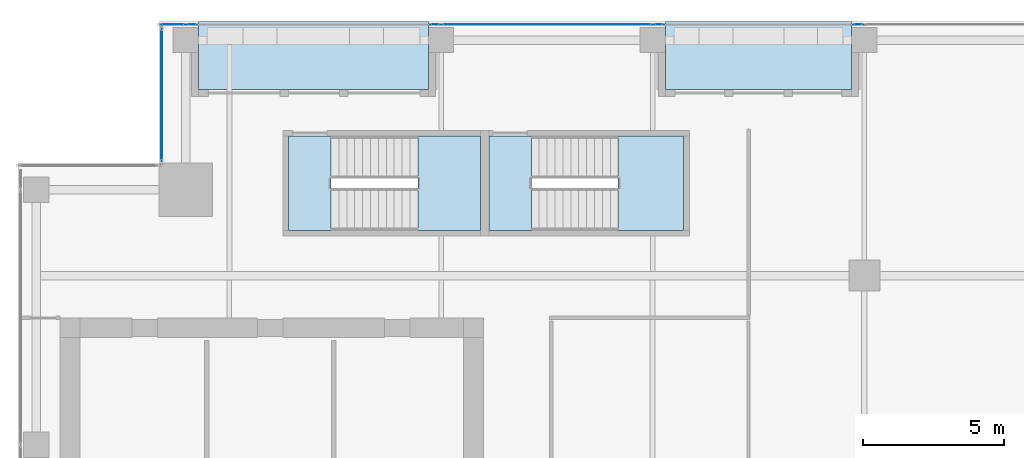
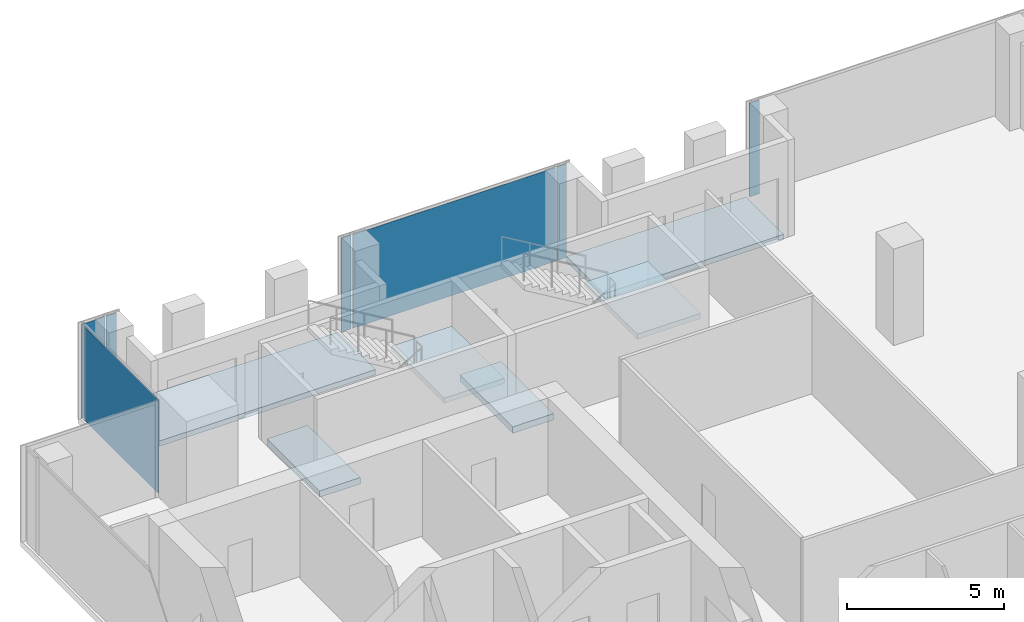
# One storey, part 28 of 34: 7 plates, 6 slabs, 6 elements without a shape of their own.
"""IFC4 building model written with IfcOpenShell, lengths in metres."""

from ifc_helpers import new_model, si_unit, direction, frame, origin, origin_2d, place, context, subcontext, project, spatial, polyline, rectangle, outline, extrude, source, transform, mapped, material, layer, layer_set, type_object, element, aggregate, save


model = new_model("IFC4")

# Units and contexts
model_context = context("Model", 3, precision=1e-05, world=origin(), true_north=direction((0.0, 1.0)))
body_context = subcontext(model_context, "Body", "Model", "MODEL_VIEW")
ifc_project = project(units=[si_unit("LENGTHUNIT", "METRE"), si_unit("AREAUNIT", "SQUARE_METRE"), si_unit("VOLUMEUNIT", "CUBIC_METRE"), si_unit("PLANEANGLEUNIT", "RADIAN"), si_unit("MASSUNIT", "GRAM", prefix="KILO")], contexts=[model_context])

# Site, building, storey
site_placement = place(None, origin())
site = spatial("IfcSite", under=ifc_project, at=site_placement, CompositionType="ELEMENT")
building_placement = place(site_placement, origin())
building = spatial("IfcBuilding", under=site, at=building_placement, Name="Khomas Fold Tower", CompositionType="ELEMENT")
storey_placement = place(building_placement, frame((0.0, 0.0, 242.199951171875)))
storey = spatial("IfcBuildingStorey", under=building, at=storey_placement, Name="L54", CompositionType="ELEMENT", Elevation=242.199951171875)

# Curtain wall, plate
ifc_material_1 = material(Name="Aluminium framed double glazing", Category="aluminium")
curtain_wall_type = type_object("IfcCurtainWallType", Name="SK-Unitised clear-glass wall, office floors CW2", PredefinedType="NOTDEFINED", material=ifc_material_1)
curtain_wall_1_placement = place(storey_placement, origin())
curtain_wall_1 = element("IfcCurtainWall", 1, at=curtain_wall_1_placement, inside=storey, type_object=curtain_wall_type, Name="CW2 run L54 06-1", PredefinedType="NOTDEFINED")
ifc_material_2 = material(Name="Clear double glazed unit")
ifc_layer_1 = layer(ifc_material_2, 0.030029296875)
ifc_layer_set_1 = layer_set([ifc_layer_1], Name="Clear double glazed unit")
plate_type = type_object("IfcPlateType", Name="SK-Unitised clear-glass wall, office floors glass panel CW2-P", PredefinedType="CURTAIN_PANEL", material=ifc_layer_set_1)
shared_shape_1 = source(origin(), body_context, "Body", "SweptSolid", [
    extrude(rectangle(XDim=7.43994140625, YDim=0.030029296875, at=origin_2d()), origin(), (0.0, 0.0, 1.0), 3.639892578125),
])
plate_1_placement = place(storey_placement, frame((23.25, 49.39990234375, 0.0), z_axis=(0.0, 0.0, 1.0), x_axis=(-1.0, 0.0, 0.0)))
plate_1 = element("IfcPlate", 2, at=plate_1_placement, type_object=plate_type, Name="CW2 glass panel 2", PredefinedType="CURTAIN_PANEL", context=body_context, shape_type="MappedRepresentation", body=[
    mapped(shared_shape_1, transform((0.0, 0.0, 0.0))),
])

curtain_wall_2_placement = place(storey_placement, origin())
curtain_wall_2 = element("IfcCurtainWall", 3, at=curtain_wall_2_placement, inside=storey, type_object=curtain_wall_type, Name="CW2 run L54 06-2", PredefinedType="NOTDEFINED")
shared_shape_2 = source(origin(), body_context, "Body", "SweptSolid", [
    extrude(rectangle(XDim=0.860107421875, YDim=0.030029296875, at=origin_2d()), origin(), (0.0, 0.0, 1.0), 3.639892578125),
])
plate_2_placement = place(storey_placement, frame((9.989990234375, 49.39990234375, 0.0), z_axis=(0.0, 0.0, 1.0), x_axis=(-1.0, 0.0, 0.0)))
plate_2 = element("IfcPlate", 4, at=plate_2_placement, type_object=plate_type, Name="CW2 glass panel 2", PredefinedType="CURTAIN_PANEL", context=body_context, shape_type="MappedRepresentation", body=[
    mapped(shared_shape_2, transform((0.0, 0.0, 0.0))),
])

curtain_wall_3_placement = place(storey_placement, origin())
curtain_wall_3 = element("IfcCurtainWall", 5, at=curtain_wall_3_placement, inside=storey, type_object=curtain_wall_type, Name="CW2 corner return L54 07", PredefinedType="NOTDEFINED")
shared_shape_3 = source(origin(), body_context, "Body", "SweptSolid", [
    extrude(rectangle(XDim=4.679931640625, YDim=0.030029296875, at=origin_2d()), origin(), (0.0, 0.0, 1.0), 3.639892578125),
])
plate_3_placement = place(storey_placement, frame((9.60009765625, 46.89990234375, 0.0), z_axis=(0.0, 0.0, 1.0), x_axis=(0.0, -1.0, 0.0)))
plate_3 = element("IfcPlate", 6, at=plate_3_placement, type_object=plate_type, Name="CW2 glass panel 1", PredefinedType="CURTAIN_PANEL", context=body_context, shape_type="MappedRepresentation", body=[
    mapped(shared_shape_3, transform((0.0, 0.0, 0.0))),
])
aggregate(curtain_wall_3, [plate_3])

curtain_wall_4_placement = place(storey_placement, origin())
curtain_wall_4 = element("IfcCurtainWall", 7, at=curtain_wall_4_placement, inside=storey, type_object=curtain_wall_type, Name="CW2 run L54 06-0", PredefinedType="NOTDEFINED")
shared_shape_4 = source(origin(), body_context, "Body", "SweptSolid", [
    extrude(rectangle(XDim=0.360107421875, YDim=0.030029296875, at=origin_2d()), origin(), (0.0, 0.0, 1.0), 3.639892578125),
])
plate_4_placement = place(storey_placement, frame((34.2900390625, 49.39990234375, 0.0), z_axis=(0.0, 0.0, 1.0), x_axis=(-1.0, 0.0, 0.0)))
plate_4 = element("IfcPlate", 8, at=plate_4_placement, type_object=plate_type, Name="CW2 glass panel 3", PredefinedType="CURTAIN_PANEL", context=body_context, shape_type="MappedRepresentation", body=[
    mapped(shared_shape_4, transform((0.0, 0.0, 0.0))),
])
aggregate(curtain_wall_4, [plate_4])

# Plate
plate_5_placement = place(storey_placement, frame((27.2099609375, 49.39990234375, 0.0), z_axis=(0.0, 0.0, 1.0), x_axis=(-1.0, 0.0, 0.0)))
plate_5 = element("IfcPlate", 9, at=plate_5_placement, type_object=plate_type, Name="CW2 glass panel 1", PredefinedType="CURTAIN_PANEL", context=body_context, shape_type="MappedRepresentation", body=[
    mapped(shared_shape_4, transform((0.0, 0.0, 0.0))),
])

plate_6_placement = place(storey_placement, frame((19.2900390625, 49.39990234375, 0.0), z_axis=(0.0, 0.0, 1.0), x_axis=(-1.0, 0.0, 0.0)))
plate_6 = element("IfcPlate", 10, at=plate_6_placement, type_object=plate_type, Name="CW2 glass panel 3", PredefinedType="CURTAIN_PANEL", context=body_context, shape_type="MappedRepresentation", body=[
    mapped(shared_shape_4, transform((0.0, 0.0, 0.0))),
])

aggregate(curtain_wall_1, [plate_5, plate_1, plate_6])

plate_7_placement = place(storey_placement, frame((10.659912109375, 49.39990234375, 0.0), z_axis=(0.0, 0.0, 1.0), x_axis=(-1.0, 0.0, 0.0)))
plate_7 = element("IfcPlate", 11, at=plate_7_placement, type_object=plate_type, Name="CW2 glass panel 1", PredefinedType="CURTAIN_PANEL", context=body_context, shape_type="MappedRepresentation", body=[
    mapped(shared_shape_4, transform((0.0, 0.0, 0.0))),
])

aggregate(curtain_wall_2, [plate_7, plate_2])

# Slabs
ifc_material_3 = material(Name="Concrete C40/50", Category="concrete")
ifc_layer_2 = layer(ifc_material_3, 0.205078125)
ifc_layer_set_2 = layer_set([ifc_layer_2], Name="Concrete C40/50")
slab_type_1 = type_object("IfcSlabType", Name="BL-Balcony deck 205", PredefinedType="FLOOR", material=ifc_layer_set_2)
shared_shape_5 = source(origin(), body_context, "Body", "SweptSolid", [
    extrude(outline(polyline([(10.89990234375, 47.10009765625), (19.050048828125, 47.10009765625), (19.050048828125, 49.5), (10.89990234375, 49.5), (10.89990234375, 47.10009765625)])), origin(), (0.0, 0.0, 1.0), 0.205078125),
])
slab_1_placement = place(storey_placement, frame((0.0, 0.0, -0.25)))
element("IfcSlab", 12, at=slab_1_placement, inside=storey, type_object=slab_type_1, Name="Balcony deck BAL-L54-N1", PredefinedType="FLOOR", context=body_context, shape_type="MappedRepresentation", body=[
    mapped(shared_shape_5, transform((0.0, 0.0, 0.0))),
])
shared_shape_6 = source(origin(), body_context, "Body", "SweptSolid", [
    extrude(outline(polyline([(27.449951171875, 47.10009765625), (34.050048828125, 47.10009765625), (34.050048828125, 49.5), (27.449951171875, 49.5), (27.449951171875, 47.10009765625)])), origin(), (0.0, 0.0, 1.0), 0.205078125),
])
slab_2_placement = place(storey_placement, frame((0.0, 0.0, -0.25)))
element("IfcSlab", 13, at=slab_2_placement, inside=storey, type_object=slab_type_1, Name="Balcony deck BAL-L54-N3", PredefinedType="FLOOR", context=body_context, shape_type="MappedRepresentation", body=[
    mapped(shared_shape_6, transform((0.0, 0.0, 0.0))),
])

# Stair, slab
ifc_material_4 = material(Name="Concrete C40/50", Category="concrete")
stair_type_1 = type_object("IfcStairType", Name="Stair ST1", PredefinedType="HALF_TURN_STAIR", material=ifc_material_4)
stair_1_placement = place(storey_placement, origin())
stair_1 = element("IfcStair", 14, at=stair_1_placement, inside=storey, type_object=stair_type_1, Name="L54 ST1", PredefinedType="HALF_TURN_STAIR")
ifc_material_5 = material(Name="Concrete C40/50", Category="concrete")
ifc_layer_3 = layer(ifc_material_5, 0.199951171875)
ifc_layer_set_3 = layer_set([ifc_layer_3], Name="Concrete C40/50")
slab_type_2 = type_object("IfcSlabType", Name="Stair landing 200", PredefinedType="LANDING", material=ifc_layer_set_3)
shared_shape_7 = source(origin(), body_context, "Body", "SweptSolid", [
    extrude(outline(polyline([(18.679931640625, 42.10009765625), (20.89990234375, 42.10009765625), (20.89990234375, 45.449951171875), (18.679931640625, 45.449951171875), (18.679931640625, 42.10009765625)])), origin(), (0.0, 0.0, 1.0), 0.199951171875),
])
slab_3_placement = place(storey_placement, frame((0.0, 0.0, 1.800048828125)))
slab_3 = element("IfcSlab", 15, at=slab_3_placement, type_object=slab_type_2, Name="ST1 landing 1", PredefinedType="LANDING", context=body_context, shape_type="MappedRepresentation", body=[
    mapped(shared_shape_7, transform((0.0, 0.0, 0.0))),
])
aggregate(stair_1, [slab_3])

# Slab
ifc_material_6 = material(Name="Concrete C40/50", Category="concrete")
ifc_layer_4 = layer(ifc_material_6, 0.25)
ifc_layer_set_4 = layer_set([ifc_layer_4], Name="Concrete C40/50")
slab_type_3 = type_object("IfcSlabType", Name="Stair floor landing 250", PredefinedType="LANDING", material=ifc_layer_set_4)
shared_shape_8 = source(origin(), body_context, "Body", "SweptSolid", [
    extrude(outline(polyline([(15.60009765625, 42.10009765625), (14.10009765625, 42.10009765625), (14.10009765625, 45.449951171875), (15.60009765625, 45.449951171875), (15.60009765625, 42.10009765625)])), origin(), (0.0, 0.0, 1.0), 0.25),
])
slab_4_placement = place(storey_placement, frame((0.0, 0.0, -0.25)))
element("IfcSlab", 16, at=slab_4_placement, inside=storey, type_object=slab_type_3, Name="ST1 floor landing", PredefinedType="LANDING", context=body_context, shape_type="MappedRepresentation", body=[
    mapped(shared_shape_8, transform((0.0, 0.0, 0.0))),
])

# Stair, slab
ifc_material_7 = material(Name="Concrete C40/50", Category="concrete")
stair_type_2 = type_object("IfcStairType", Name="Stair ST3", PredefinedType="HALF_TURN_STAIR", material=ifc_material_7)
stair_2_placement = place(storey_placement, origin())
stair_2 = element("IfcStair", 17, at=stair_2_placement, inside=storey, type_object=stair_type_2, Name="L54 ST3", PredefinedType="HALF_TURN_STAIR")
shared_shape_9 = source(origin(), body_context, "Body", "SweptSolid", [
    extrude(outline(polyline([(25.780029296875, 42.10009765625), (28.10009765625, 42.10009765625), (28.10009765625, 45.449951171875), (25.780029296875, 45.449951171875), (25.780029296875, 42.10009765625)])), origin(), (0.0, 0.0, 1.0), 0.199951171875),
])
slab_5_placement = place(storey_placement, frame((0.0, 0.0, 1.800048828125)))
slab_5 = element("IfcSlab", 18, at=slab_5_placement, type_object=slab_type_2, Name="ST3 landing 1", PredefinedType="LANDING", context=body_context, shape_type="MappedRepresentation", body=[
    mapped(shared_shape_9, transform((0.0, 0.0, 0.0))),
])
aggregate(stair_2, [slab_5])

# Slab
shared_shape_10 = source(origin(), body_context, "Body", "SweptSolid", [
    extrude(outline(polyline([(22.699951171875, 42.10009765625), (21.199951171875, 42.10009765625), (21.199951171875, 45.449951171875), (22.699951171875, 45.449951171875), (22.699951171875, 42.10009765625)])), origin(), (0.0, 0.0, 1.0), 0.25),
])
slab_6_placement = place(storey_placement, frame((0.0, 0.0, -0.25)))
element("IfcSlab", 19, at=slab_6_placement, inside=storey, type_object=slab_type_3, Name="ST3 floor landing", PredefinedType="LANDING", context=body_context, shape_type="MappedRepresentation", body=[
    mapped(shared_shape_10, transform((0.0, 0.0, 0.0))),
])

save(model, "model.ifc")
